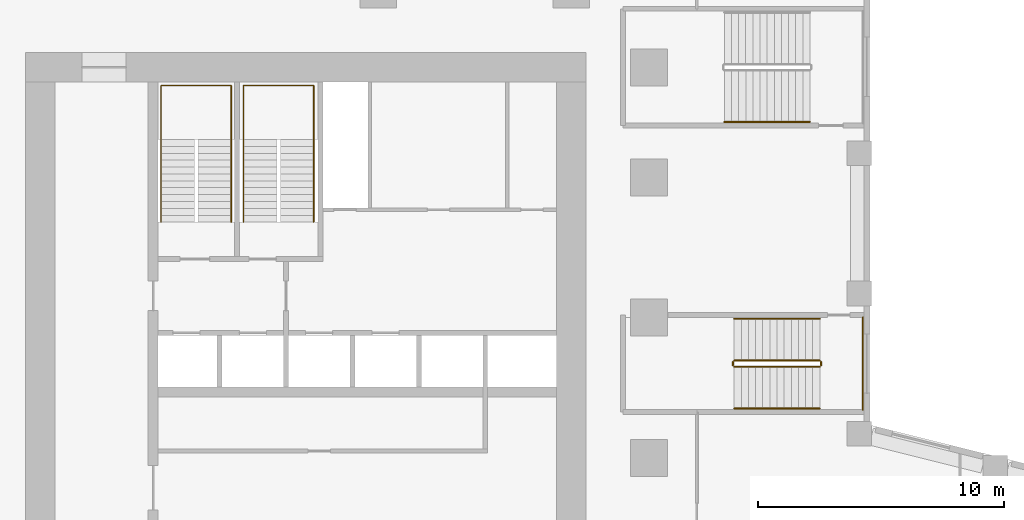
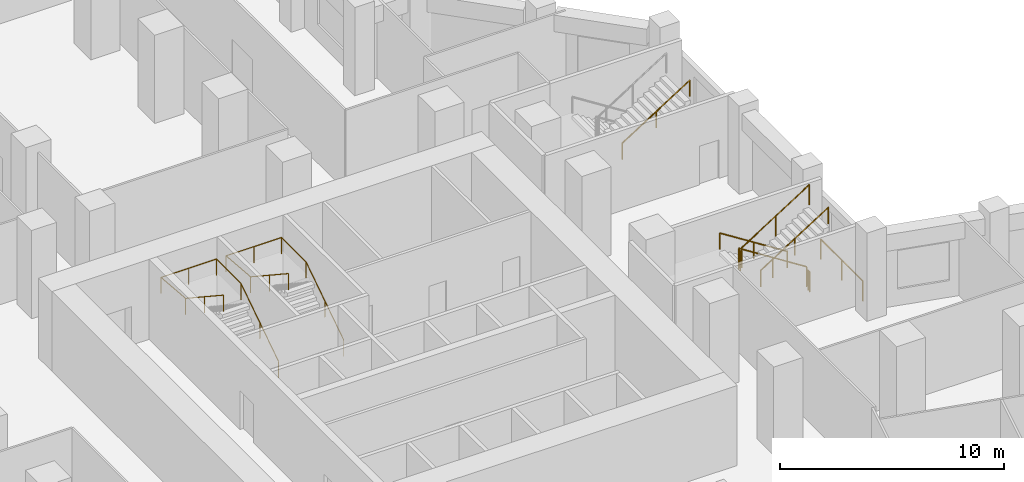
# One storey, part 12 of 15: 10 railings.
"""IFC4 building model written with IfcOpenShell, lengths in metres."""

from ifc_helpers import new_model, si_unit, direction, frame, origin, origin_2d, place, context, subcontext, project, spatial, circle, extrude, material, type_object, element, save


model = new_model("IFC4")

# Units and contexts
model_context = context("Model", 3, precision=1e-05, world=origin(), true_north=direction((0.0, 1.0)))
body_context = subcontext(model_context, "Body", "Model", "MODEL_VIEW")
ifc_project = project(units=[si_unit("LENGTHUNIT", "METRE"), si_unit("AREAUNIT", "SQUARE_METRE"), si_unit("VOLUMEUNIT", "CUBIC_METRE"), si_unit("PLANEANGLEUNIT", "RADIAN"), si_unit("MASSUNIT", "GRAM", prefix="KILO")], contexts=[model_context])

# Site, building, storey
site_placement = place(None, origin())
site = spatial("IfcSite", under=ifc_project, at=site_placement, CompositionType="ELEMENT")
building_placement = place(site_placement, origin())
building = spatial("IfcBuilding", under=site, at=building_placement, Name="Meshkara Civic Tower", CompositionType="ELEMENT")
storey_placement = place(building_placement, frame((0.0, 0.0, 23.39990234375)))
storey = spatial("IfcBuildingStorey", under=building, at=storey_placement, Name="L04", CompositionType="ELEMENT", Elevation=23.39990234375)

# Railings
ifc_material_1 = material(Name="Steel guard", Category="steel")
railing_type_1 = type_object("IfcRailingType", Name="Podium stair guard 1100", PredefinedType="GUARDRAIL", material=ifc_material_1)
railing_1_placement = place(storey_placement, frame((40.300048828125, 24.375, 0.184814453125)))
element("IfcRailing", 1, at=railing_1_placement, inside=storey, type_object=railing_type_1, Name="L04 PS5 stair guard 1", PredefinedType="GUARDRAIL", context=body_context, shape_type="SweptSolid", body=[
    extrude(circle(Radius=0.02392578125, at=origin_2d()), frame((0.0, 0.0, 1.076171875), z_axis=(-0.843573748531, 0.0, 0.537013343214), x_axis=(0.0, -1.0, 0.0)), (0.0, 0.0, 1.0), 4.125244140625),
    extrude(circle(Radius=0.02099609375, at=origin_2d()), origin(), (0.0, 0.0, 1.0), 1.052001953125),
    extrude(circle(Radius=0.02099609375, at=origin_2d()), frame((-1.739990234375, 0.0, 1.107666015625)), (0.0, 0.0, 1.0), 1.052001953125),
    extrude(circle(Radius=0.02099609375, at=origin_2d()), frame((-3.47998046875, 0.0, 2.21533203125)), (0.0, 0.0, 1.0), 1.052001953125),
])
railing_2_placement = place(storey_placement, frame((36.77001953125, 24.324951171875, 2.400146484375)))
element("IfcRailing", 2, at=railing_2_placement, inside=storey, type_object=railing_type_1, Name="L04 PS5 stair guard 2", PredefinedType="GUARDRAIL", context=body_context, shape_type="SweptSolid", body=[
    extrude(circle(Radius=0.02392578125, at=origin_2d()), frame((0.0, 0.0, 1.076171875), z_axis=(0.0, -1.0, 0.0), x_axis=(1.0, 0.0, 0.0)), (0.0, 0.0, 1.0), 0.14990234375),
    extrude(circle(Radius=0.02099609375, at=origin_2d()), origin(), (0.0, 0.0, 1.0), 1.052001953125),
    extrude(circle(Radius=0.02099609375, at=origin_2d()), frame((0.0, -0.14990234375, 0.0)), (0.0, 0.0, 1.0), 1.052001953125),
])
railing_3_placement = place(storey_placement, frame((36.820068359375, 24.125, 2.584716796875)))
element("IfcRailing", 3, at=railing_3_placement, inside=storey, type_object=railing_type_1, Name="L04 PS5 stair guard 3", PredefinedType="GUARDRAIL", context=body_context, shape_type="SweptSolid", body=[
    extrude(circle(Radius=0.02392578125, at=origin_2d()), frame((0.0, 0.0, 1.076171875), z_axis=(0.843573748531, 0.0, 0.537013343214), x_axis=(0.0, 1.0, 0.0)), (0.0, 0.0, 1.0), 4.125244140625),
    extrude(circle(Radius=0.02099609375, at=origin_2d()), origin(), (0.0, 0.0, 1.0), 1.052001953125),
    extrude(circle(Radius=0.02099609375, at=origin_2d()), frame((1.739990234375, 0.0, 1.107666015625)), (0.0, 0.0, 1.0), 1.052001953125),
    extrude(circle(Radius=0.02099609375, at=origin_2d()), frame((3.47998046875, 0.0, 2.21533203125)), (0.0, 0.0, 1.0), 1.052001953125),
])
railing_4_placement = place(storey_placement, frame((40.35009765625, 24.324951171875, 0.0)))
element("IfcRailing", 4, at=railing_4_placement, inside=storey, type_object=railing_type_1, Name="L04 PS5 stair guard 4", PredefinedType="GUARDRAIL", context=body_context, shape_type="SweptSolid", body=[
    extrude(circle(Radius=0.02392578125, at=origin_2d()), frame((0.0, 0.0, 1.076171875), z_axis=(0.0, -1.0, 0.0), x_axis=(1.0, 0.0, 0.0)), (0.0, 0.0, 1.0), 0.14990234375),
    extrude(circle(Radius=0.02099609375, at=origin_2d()), origin(), (0.0, 0.0, 1.0), 1.052001953125),
    extrude(circle(Radius=0.02099609375, at=origin_2d()), frame((0.0, -0.14990234375, 0.0)), (0.0, 0.0, 1.0), 1.052001953125),
])
railing_5_placement = place(storey_placement, frame((42.050048828125, 26.125, 0.0)))
element("IfcRailing", 5, at=railing_5_placement, inside=storey, type_object=railing_type_1, Name="L04 PS5 stair guard 5", PredefinedType="GUARDRAIL", context=body_context, shape_type="SweptSolid", body=[
    extrude(circle(Radius=0.02392578125, at=origin_2d()), frame((0.0, 0.0, 1.076171875), z_axis=(0.0, -1.0, 0.0), x_axis=(1.0, 0.0, 0.0)), (0.0, 0.0, 1.0), 3.75),
    extrude(circle(Radius=0.02099609375, at=origin_2d()), origin(), (0.0, 0.0, 1.0), 1.052001953125),
    extrude(circle(Radius=0.02099609375, at=origin_2d()), frame((0.0, -1.875, 0.0)), (0.0, 0.0, 1.0), 1.052001953125),
    extrude(circle(Radius=0.02099609375, at=origin_2d()), frame((0.0, -3.75, 0.0)), (0.0, 0.0, 1.0), 1.052001953125),
])
ifc_material_2 = material(Name="Steel handrail", Category="steel")
railing_type_2 = type_object("IfcRailingType", Name="Podium stair handrail 900", PredefinedType="HANDRAIL", material=ifc_material_2)
railing_6_placement = place(storey_placement, frame((40.300048828125, 26.074951171875, 0.184814453125)))
element("IfcRailing", 6, at=railing_6_placement, inside=storey, type_object=railing_type_2, Name="L04 PS5 stair handrail 1", PredefinedType="HANDRAIL", context=body_context, shape_type="SweptSolid", body=[
    extrude(circle(Radius=0.02392578125, at=origin_2d()), frame((0.0, 0.0, 0.8759765625), z_axis=(-0.843573748531, 0.0, 0.537013343214), x_axis=(0.0, -1.0, 0.0)), (0.0, 0.0, 1.0), 4.125244140625),
    extrude(circle(Radius=0.02099609375, at=origin_2d()), origin(), (0.0, 0.0, 1.0), 0.851806640625),
    extrude(circle(Radius=0.02099609375, at=origin_2d()), frame((-1.739990234375, 0.0, 1.107666015625)), (0.0, 0.0, 1.0), 0.851806640625),
    extrude(circle(Radius=0.02099609375, at=origin_2d()), frame((-3.47998046875, 0.0, 2.21533203125)), (0.0, 0.0, 1.0), 0.851806640625),
])
for number, where, name in (
    (7, (36.820068359375, 22.425048828125, 2.584716796875), "L04 PS5 stair handrail 2"),
    (8, (36.419921875, 34.074951171875, 2.584716796875), "L04 PS6 stair handrail 2"),
):
    element("IfcRailing", number, at=place(storey_placement, frame(where)), inside=storey, type_object=railing_type_2, Name=name, PredefinedType="HANDRAIL", context=body_context, shape_type="SweptSolid", body=[
        extrude(circle(Radius=0.02392578125, at=origin_2d()), frame((0.0, 0.0, 0.8759765625), z_axis=(0.843573748531, 0.0, 0.537013343214), x_axis=(0.0, 1.0, 0.0)), (0.0, 0.0, 1.0), 4.125244140625),
        extrude(circle(Radius=0.02099609375, at=origin_2d()), origin(), (0.0, 0.0, 1.0), 0.851806640625),
        extrude(circle(Radius=0.02099609375, at=origin_2d()), frame((1.739990234375, 0.0, 1.107666015625)), (0.0, 0.0, 1.0), 0.851806640625),
        extrude(circle(Radius=0.02099609375, at=origin_2d()), frame((3.47998046875, 0.0, 2.21533203125)), (0.0, 0.0, 1.0), 0.851806640625),
    ])
ifc_material_3 = material(Name="Steel handrail", Category="steel")
railing_type_3 = type_object("IfcRailingType", Name="Stair handrail 900", PredefinedType="HANDRAIL", material=ifc_material_3)
railing_7_placement = place(storey_placement, frame((16.375, 30.0, 0.184814453125)))
element("IfcRailing", 9, at=railing_7_placement, inside=storey, type_object=railing_type_3, Name="L04 ST1 stair handrail 1", PredefinedType="HANDRAIL", context=body_context, shape_type="SweptSolid", body=[
    extrude(circle(Radius=0.02392578125, at=origin_2d()), frame((0.0, 0.0, 0.8759765625), z_axis=(0.0, 0.834876476806, 0.550437342915), x_axis=(-1.0, 0.0, 0.0)), (0.0, 0.0, 1.0), 4.024658203125),
    extrude(circle(Radius=0.02392578125, at=origin_2d()), frame((0.0, 3.360107421875, 3.09130859375), z_axis=(0.0, 1.0, 0.0), x_axis=(-1.0, 0.0, 0.0)), (0.0, 0.0, 1.0), 2.18994140625),
    extrude(circle(Radius=0.02392578125, at=origin_2d()), frame((0.0, 5.550048828125, 3.09130859375), z_axis=(-1.0, 0.0, 0.0), x_axis=(0.0, -1.0, 0.0)), (0.0, 0.0, 1.0), 2.85009765625),
    extrude(circle(Radius=0.02392578125, at=origin_2d()), frame((-2.85009765625, 5.550048828125, 3.09130859375), z_axis=(0.0, -0.996467171765, 0.083983186383), x_axis=(1.0, 0.0, 0.0)), (0.0, 0.0, 1.0), 2.19775390625),
    extrude(circle(Radius=0.02392578125, at=origin_2d()), frame((-2.85009765625, 3.360107421875, 3.27587890625), z_axis=(0.0, -0.834876476806, 0.550437342915), x_axis=(1.0, 0.0, 0.0)), (0.0, 0.0, 1.0), 4.024658203125),
    extrude(circle(Radius=0.02099609375, at=origin_2d()), origin(), (0.0, 0.0, 1.0), 0.851806640625),
    extrude(circle(Radius=0.02099609375, at=origin_2d()), frame((0.0, 1.68017578125, 1.107666015625)), (0.0, 0.0, 1.0), 0.851806640625),
    extrude(circle(Radius=0.02099609375, at=origin_2d()), frame((0.0, 3.360107421875, 2.21533203125)), (0.0, 0.0, 1.0), 0.851806640625),
    extrude(circle(Radius=0.02099609375, at=origin_2d()), frame((0.0, 5.550048828125, 2.21533203125)), (0.0, 0.0, 1.0), 0.851806640625),
    extrude(circle(Radius=0.02099609375, at=origin_2d()), frame((-1.425048828125, 5.550048828125, 2.21533203125)), (0.0, 0.0, 1.0), 0.851806640625),
    extrude(circle(Radius=0.02099609375, at=origin_2d()), frame((-2.85009765625, 5.550048828125, 2.21533203125)), (0.0, 0.0, 1.0), 0.851806640625),
    extrude(circle(Radius=0.02099609375, at=origin_2d()), frame((-2.85009765625, 3.360107421875, 2.39990234375)), (0.0, 0.0, 1.0), 0.851806640625),
    extrude(circle(Radius=0.02099609375, at=origin_2d()), frame((-2.85009765625, 1.68017578125, 3.507568359375)), (0.0, 0.0, 1.0), 0.851806640625),
    extrude(circle(Radius=0.02099609375, at=origin_2d()), frame((-2.85009765625, 0.0, 4.615234375)), (0.0, 0.0, 1.0), 0.851806640625),
])
railing_8_placement = place(storey_placement, frame((19.72509765625, 30.0, 0.184814453125)))
element("IfcRailing", 10, at=railing_8_placement, inside=storey, type_object=railing_type_3, Name="L04 ST2 stair handrail 1", PredefinedType="HANDRAIL", context=body_context, shape_type="SweptSolid", body=[
    extrude(circle(Radius=0.02392578125, at=origin_2d()), frame((0.0, 0.0, 0.8759765625), z_axis=(0.0, 0.834876476806, 0.550437342915), x_axis=(-1.0, 0.0, 0.0)), (0.0, 0.0, 1.0), 4.024658203125),
    extrude(circle(Radius=0.02392578125, at=origin_2d()), frame((0.0, 3.360107421875, 3.09130859375), z_axis=(0.0, 1.0, 0.0), x_axis=(-1.0, 0.0, 0.0)), (0.0, 0.0, 1.0), 2.18994140625),
    extrude(circle(Radius=0.02392578125, at=origin_2d()), frame((0.0, 5.550048828125, 3.09130859375), z_axis=(-1.0, 0.0, 0.0), x_axis=(0.0, -1.0, 0.0)), (0.0, 0.0, 1.0), 2.85009765625),
    extrude(circle(Radius=0.02392578125, at=origin_2d()), frame((-2.85009765625, 5.550048828125, 3.09130859375), z_axis=(0.0, -0.996467171765, 0.083983186383), x_axis=(1.0, 0.0, 0.0)), (0.0, 0.0, 1.0), 2.19775390625),
    extrude(circle(Radius=0.02392578125, at=origin_2d()), frame((-2.85009765625, 3.360107421875, 3.27587890625), z_axis=(0.0, -0.834876476806, 0.550437342915), x_axis=(1.0, 0.0, 0.0)), (0.0, 0.0, 1.0), 4.024658203125),
    extrude(circle(Radius=0.02099609375, at=origin_2d()), origin(), (0.0, 0.0, 1.0), 0.851806640625),
    extrude(circle(Radius=0.02099609375, at=origin_2d()), frame((0.0, 1.68017578125, 1.107666015625)), (0.0, 0.0, 1.0), 0.851806640625),
    extrude(circle(Radius=0.02099609375, at=origin_2d()), frame((0.0, 3.360107421875, 2.21533203125)), (0.0, 0.0, 1.0), 0.851806640625),
    extrude(circle(Radius=0.02099609375, at=origin_2d()), frame((0.0, 5.550048828125, 2.21533203125)), (0.0, 0.0, 1.0), 0.851806640625),
    extrude(circle(Radius=0.02099609375, at=origin_2d()), frame((-1.425048828125, 5.550048828125, 2.21533203125)), (0.0, 0.0, 1.0), 0.851806640625),
    extrude(circle(Radius=0.02099609375, at=origin_2d()), frame((-2.85009765625, 5.550048828125, 2.21533203125)), (0.0, 0.0, 1.0), 0.851806640625),
    extrude(circle(Radius=0.02099609375, at=origin_2d()), frame((-2.85009765625, 3.360107421875, 2.39990234375)), (0.0, 0.0, 1.0), 0.851806640625),
    extrude(circle(Radius=0.02099609375, at=origin_2d()), frame((-2.85009765625, 1.68017578125, 3.507568359375)), (0.0, 0.0, 1.0), 0.851806640625),
    extrude(circle(Radius=0.02099609375, at=origin_2d()), frame((-2.85009765625, 0.0, 4.615234375)), (0.0, 0.0, 1.0), 0.851806640625),
])

save(model, "model.ifc")
